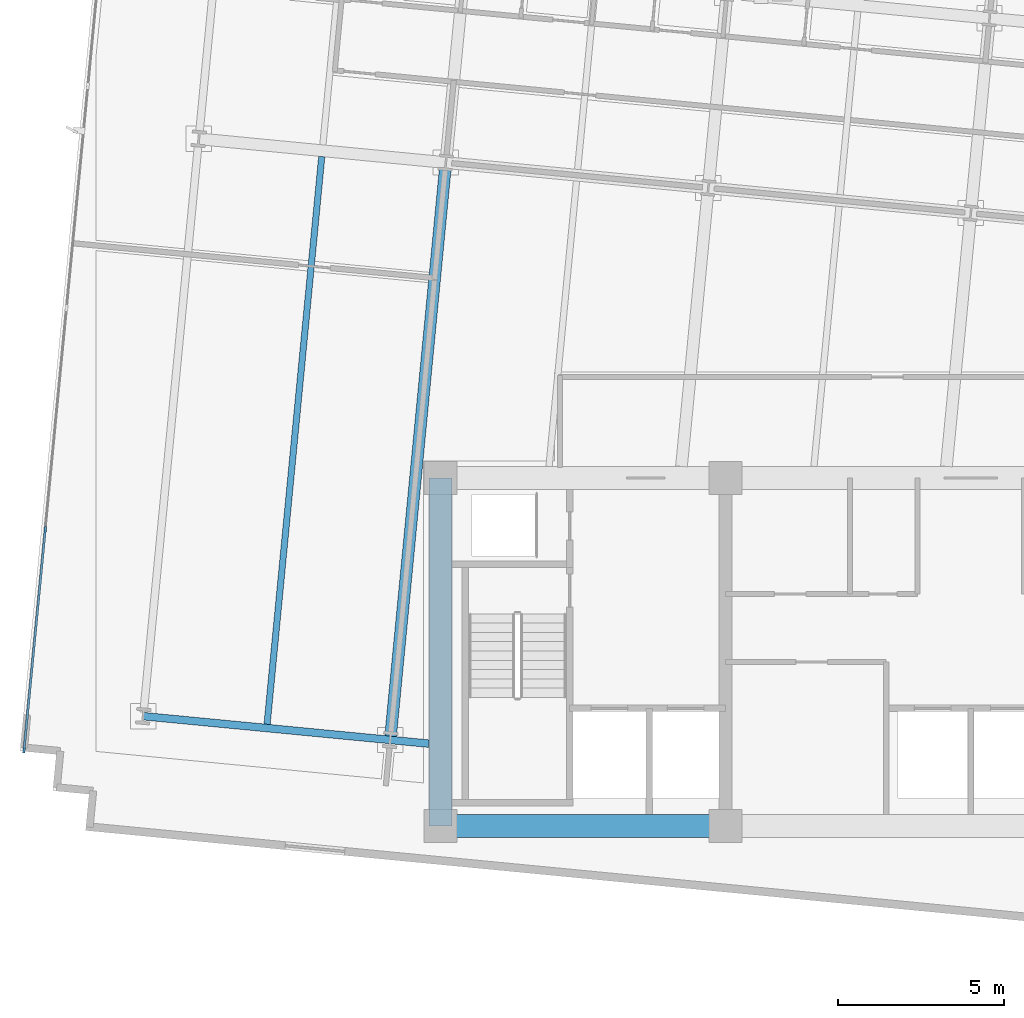
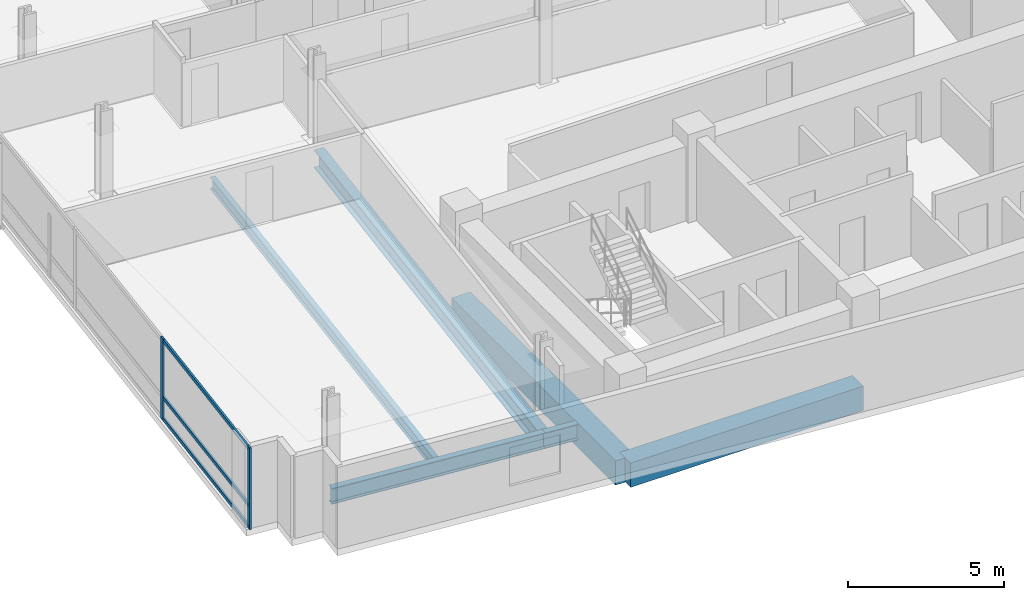
# One storey, part 2 of 17: 6 beams, 5 members, 1 element without a shape of its own.
"""IFC4 building model written with IfcOpenShell, lengths in metres."""

from ifc_helpers import new_model, si_unit, direction, frame, origin, origin_2d, place, context, subcontext, project, spatial, rectangle, i_section, extrude, material, material_profile, profile_set, type_object, element, aggregate, save


model = new_model("IFC4")

# Units and contexts
model_context = context("Model", 3, precision=1e-05, world=origin(), true_north=direction((0.0, 1.0)))
body_context = subcontext(model_context, "Body", "Model", "MODEL_VIEW")
ifc_project = project(units=[si_unit("LENGTHUNIT", "METRE"), si_unit("AREAUNIT", "SQUARE_METRE"), si_unit("VOLUMEUNIT", "CUBIC_METRE"), si_unit("PLANEANGLEUNIT", "RADIAN"), si_unit("MASSUNIT", "GRAM", prefix="KILO")], contexts=[model_context])

# Site, building, storey
site_placement = place(None, origin())
site = spatial("IfcSite", under=ifc_project, at=site_placement, CompositionType="ELEMENT")
building_placement = place(site_placement, origin())
building = spatial("IfcBuilding", under=site, at=building_placement, Name="Solmavex Isthmus Hotel", CompositionType="ELEMENT")
storey_placement = place(building_placement, frame((0.0, 0.0, 156.60009765625)))
storey = spatial("IfcBuildingStorey", under=building, at=storey_placement, Name="L42", CompositionType="ELEMENT", Elevation=156.60009765625)

# Beams
ifc_material_1 = material(Name="Steel ASTM A992 Grade 50", Category="steel")
ifc_material_profile_1 = material_profile(ifc_material_1, i_section(OverallWidth=0.354736328125, OverallDepth=0.695556640625, WebThickness=0.015380859375, FlangeThickness=0.02490234375, FilletRadius=0.017822265625, at=origin_2d()), Name="W27X146")
ifc_profile_set_1 = profile_set([ifc_material_profile_1], Name="Steel ASTM A992 Grade 50")
beam_type_1 = type_object("IfcBeamType", Name="BM-BG-W27X146", PredefinedType="BEAM", material=ifc_profile_set_1)
beam_1_placement = place(storey_placement, frame((-17.503662109375, -10.289306640625, -0.60791015625), z_axis=(0.095840821687, 0.99539667314, 0.0), x_axis=(-0.99539667314, 0.095840821687, 0.0)))
element("IfcBeam", 1, at=beam_1_placement, inside=storey, type_object=beam_type_1, Name="Floor Beam L42-VG24", PredefinedType="BEAM", context=body_context, shape_type="SweptSolid", body=[
    extrude(i_section(OverallWidth=0.354736328125, OverallDepth=0.695556640625, WebThickness=0.015380859375, FlangeThickness=0.02490234375, FilletRadius=0.017822265625, at=origin_2d()), origin(), (0.0, 0.0, 1.0), 17.207275390625),
])
ifc_material_profile_2 = material_profile(ifc_material_1, i_section(OverallWidth=0.1904296875, OverallDepth=0.456787109375, WebThickness=0.009033203125, FlangeThickness=0.014404296875, FilletRadius=0.0126953125, at=origin_2d()), Name="W18X50")
ifc_profile_set_2 = profile_set([ifc_material_profile_2], Name="Steel ASTM A992 Grade 50")
beam_type_2 = type_object("IfcBeamType", Name="BM-BJ-W18X50", PredefinedType="JOIST", material=ifc_profile_set_2)
beam_2_placement = place(storey_placement, frame((-21.23046875, -9.930419921875, -0.488525390625), z_axis=(0.095840821687, 0.99539667314, 0.0), x_axis=(-0.99539667314, 0.095840821687, 0.0)))
element("IfcBeam", 2, at=beam_2_placement, inside=storey, type_object=beam_type_2, Name="Secondary Floor Joist L42-J01", PredefinedType="JOIST", context=body_context, shape_type="SweptSolid", body=[
    extrude(i_section(OverallWidth=0.1904296875, OverallDepth=0.456787109375, WebThickness=0.009033203125, FlangeThickness=0.014404296875, FilletRadius=0.0126953125, at=origin_2d()), origin(), (0.0, 0.0, 1.0), 17.207275390625),
])
ifc_material_2 = material(Name="Concrete C60/75", Category="concrete")
ifc_material_profile_3 = material_profile(ifc_material_2, rectangle(XDim=0.699951171875, YDim=0.949951171875, at=origin_2d()), Name="RC700X950")
ifc_profile_set_3 = profile_set([ifc_material_profile_3], Name="Concrete C60/75")
beam_type_3 = type_object("IfcBeamType", Name="BM-CB-700X950", PredefinedType="BEAM", material=ifc_profile_set_3)
beam_3_placement = place(storey_placement, frame((-16.0, -13.0, -0.735107421875), z_axis=(1.0, 0.0, 0.0), x_axis=(0.0, 1.0, 0.0)))
element("IfcBeam", 3, at=beam_3_placement, inside=storey, type_object=beam_type_3, Name="Core Coupling Beam L42-CB1", PredefinedType="BEAM", context=body_context, shape_type="SweptSolid", body=[
    extrude(rectangle(XDim=0.699951171875, YDim=0.949951171875, at=origin_2d()), origin(), (0.0, 0.0, 1.0), 8.60009765625),
])
beam_4_placement = place(storey_placement, frame((-16.0, -13.0, -0.735107421875), z_axis=(0.0, 1.0, 0.0), x_axis=(-1.0, 0.0, 0.0)))
element("IfcBeam", 4, at=beam_4_placement, inside=storey, type_object=beam_type_3, Name="Core Coupling Beam L42-CB7", PredefinedType="BEAM", context=body_context, shape_type="SweptSolid", body=[
    extrude(rectangle(XDim=0.699951171875, YDim=0.949951171875, at=origin_2d()), origin(), (0.0, 0.0, 1.0), 10.5),
])
ifc_material_profile_4 = material_profile(ifc_material_1, i_section(OverallWidth=0.230224609375, OverallDepth=0.617431640625, WebThickness=0.01318359375, FlangeThickness=0.022216796875, FilletRadius=0.01513671875, at=origin_2d()), Name="W24X94")
ifc_profile_set_4 = profile_set([ifc_material_profile_4], Name="Steel ASTM A992 Grade 50")
beam_type_4 = type_object("IfcBeamType", Name="BM-SP-W24X94", PredefinedType="SPANDREL", material=ifc_profile_set_4)
beam_5_placement = place(storey_placement, frame((-24.96826171875, -9.686279296875, -0.56884765625), z_axis=(0.995395279593, -0.095855293875, 0.0), x_axis=(0.095855293875, 0.995395279593, 0.0)))
element("IfcBeam", 5, at=beam_5_placement, inside=storey, type_object=beam_type_4, Name="Floor Girder L42-UG01", PredefinedType="SPANDREL", context=body_context, shape_type="SweptSolid", body=[
    extrude(i_section(OverallWidth=0.230224609375, OverallDepth=0.617431640625, WebThickness=0.01318359375, FlangeThickness=0.022216796875, FilletRadius=0.01513671875, at=origin_2d()), origin(), (0.0, 0.0, 1.0), 7.488037109375),
])
beam_6_placement = place(storey_placement, frame((-17.5146484375, -10.404052734375, -0.56884765625), z_axis=(0.995402144456, -0.095783979938, 0.0), x_axis=(0.095783979938, 0.995402144456, 0.0)))
element("IfcBeam", 6, at=beam_6_placement, inside=storey, type_object=beam_type_4, Name="Floor Girder L42-UG02", PredefinedType="SPANDREL", context=body_context, shape_type="SweptSolid", body=[
    extrude(i_section(OverallWidth=0.230224609375, OverallDepth=0.617431640625, WebThickness=0.01318359375, FlangeThickness=0.022216796875, FilletRadius=0.01513671875, at=origin_2d()), origin(), (0.0, 0.0, 1.0), 1.169921875),
])

# Curtain wall, members
ifc_material_3 = material(Name="Aluminium alloy 6063-T6", Category="aluminium")
curtain_wall_type = type_object("IfcCurtainWallType", Name="CW-SYS-03", PredefinedType="NOTDEFINED", material=ifc_material_3)
curtain_wall_placement = place(storey_placement, origin())
curtain_wall = element("IfcCurtainWall", 7, at=curtain_wall_placement, inside=storey, type_object=curtain_wall_type, Name="Stick Curtain Wall CWL-L42-W1", PredefinedType="NOTDEFINED")
ifc_material_profile_5 = material_profile(ifc_material_3, rectangle(XDim=0.070068359375, YDim=0.179931640625, at=origin_2d()), Name="CWM-70X180")
ifc_profile_set_5 = profile_set([ifc_material_profile_5], Name="Aluminium alloy 6063-T6")
member_type_1 = type_object("IfcMemberType", Name="CW-SYS-03-MUL", PredefinedType="MULLION", material=ifc_profile_set_5)
member_1_placement = place(storey_placement, frame((-28.56298828125, -10.71142578125, 0.0), z_axis=(0.0, 0.0, 1.0), x_axis=(-0.995396190038, 0.09584583902, 0.0)))
member_1 = element("IfcMember", 8, at=member_1_placement, type_object=member_type_1, Name="CW-03 mullion 1", PredefinedType="MULLION", context=body_context, shape_type="SweptSolid", body=[
    extrude(rectangle(XDim=0.070068359375, YDim=0.179931640625, at=origin_2d()), origin(), (0.0, 0.0, 1.0), 3.18994140625),
])
member_2_placement = place(storey_placement, frame((-27.92236328125, -4.057373046875, 0.0), z_axis=(0.0, 0.0, 1.0), x_axis=(-0.995396190038, 0.09584583902, 0.0)))
member_2 = element("IfcMember", 9, at=member_2_placement, type_object=member_type_1, Name="CW-03 mullion 2", PredefinedType="MULLION", context=body_context, shape_type="SweptSolid", body=[
    extrude(rectangle(XDim=0.070068359375, YDim=0.179931640625, at=origin_2d()), origin(), (0.0, 0.0, 1.0), 3.18994140625),
])
ifc_material_profile_6 = material_profile(ifc_material_3, rectangle(XDim=0.070068359375, YDim=0.139892578125, at=origin_2d()), Name="CWT-70X140")
ifc_profile_set_6 = profile_set([ifc_material_profile_6], Name="Aluminium alloy 6063-T6")
member_type_2 = type_object("IfcMemberType", Name="CW-SYS-03-TRN", PredefinedType="USERDEFINED", material=ifc_profile_set_6)
member_3_placement = place(storey_placement, frame((-28.559814453125, -10.6767578125, 0.06982421875), z_axis=(0.095845316679, 0.995396240334, 0.0), x_axis=(-0.995396240334, 0.095845316679, 0.0)))
member_3 = element("IfcMember", 10, at=member_3_placement, type_object=member_type_2, Name="CW-03 transom 1.1", ObjectType="TRANSOM", PredefinedType="USERDEFINED", context=body_context, shape_type="SweptSolid", body=[
    extrude(rectangle(XDim=0.070068359375, YDim=0.139892578125, at=origin_2d()), origin(), (0.0, 0.0, 1.0), 6.615234375),
])
member_4_placement = place(storey_placement, frame((-28.559814453125, -10.6767578125, 0.89990234375), z_axis=(0.095845316679, 0.995396240334, 0.0), x_axis=(-0.995396240334, 0.095845316679, 0.0)))
member_4 = element("IfcMember", 11, at=member_4_placement, type_object=member_type_2, Name="CW-03 transom 1.2", ObjectType="TRANSOM", PredefinedType="USERDEFINED", context=body_context, shape_type="SweptSolid", body=[
    extrude(rectangle(XDim=0.070068359375, YDim=0.139892578125, at=origin_2d()), origin(), (0.0, 0.0, 1.0), 6.615234375),
])
member_5_placement = place(storey_placement, frame((-28.559814453125, -10.6767578125, 3.119873046875), z_axis=(0.095845316679, 0.995396240334, 0.0), x_axis=(-0.995396240334, 0.095845316679, 0.0)))
member_5 = element("IfcMember", 12, at=member_5_placement, type_object=member_type_2, Name="CW-03 transom 1.3", ObjectType="TRANSOM", PredefinedType="USERDEFINED", context=body_context, shape_type="SweptSolid", body=[
    extrude(rectangle(XDim=0.070068359375, YDim=0.139892578125, at=origin_2d()), origin(), (0.0, 0.0, 1.0), 6.615234375),
])
aggregate(curtain_wall, [member_1, member_2, member_3, member_4, member_5])

save(model, "model.ifc")
